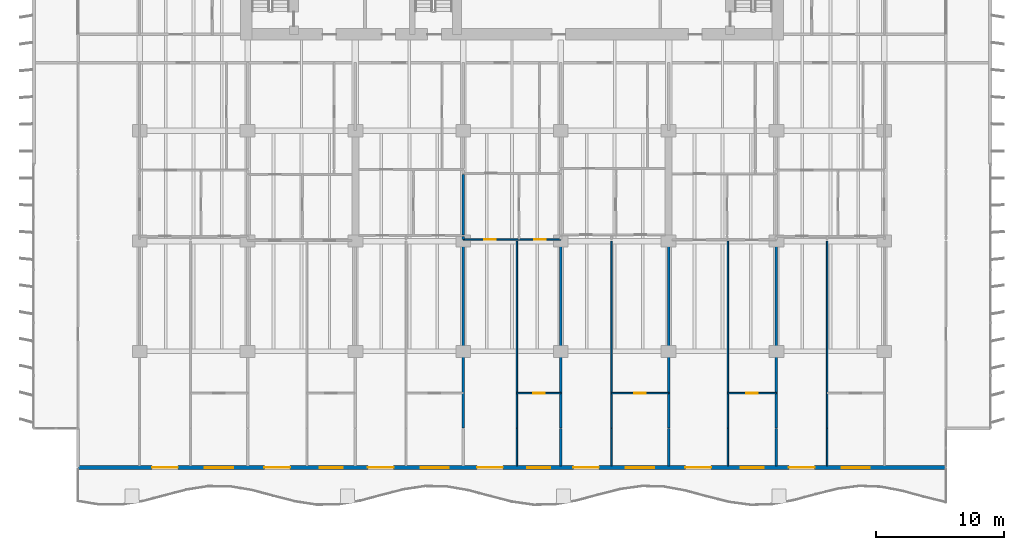
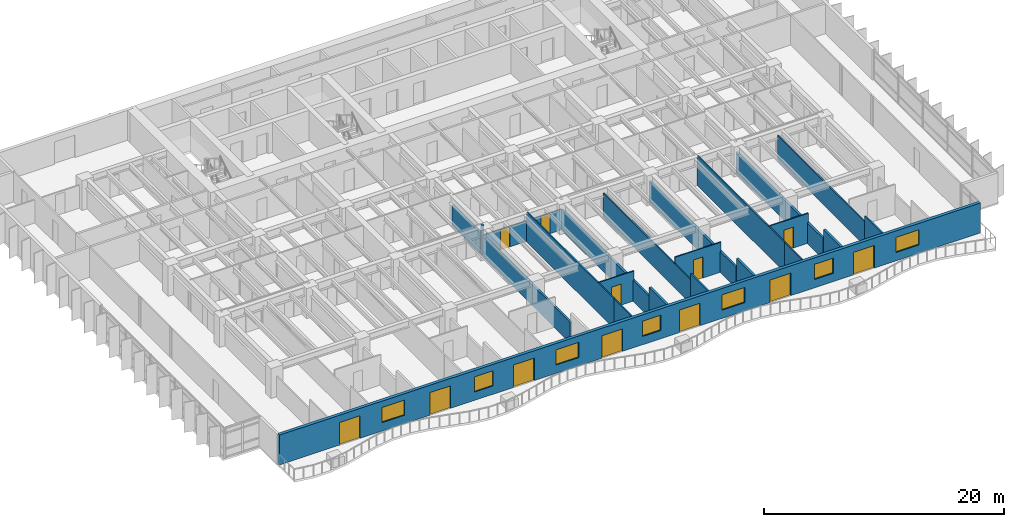
# One storey, part 8 of 19: 22 walls, 12 doors, 7 windows, 19 openings.
"""IFC4 building model written with IfcOpenShell, lengths in metres."""

from ifc_helpers import new_model, si_unit, direction, frame, frame_2d, origin, place, context, subcontext, project, spatial, rectangle, extrude, material, layer, layer_set, type_object, element, fill, save


model = new_model("IFC4")

# Units and contexts
model_context = context("Model", 3, precision=1e-05, world=origin(), true_north=direction((0.0, 1.0)))
body_context = subcontext(model_context, "Body", "Model", "MODEL_VIEW")
ifc_project = project(units=[si_unit("LENGTHUNIT", "METRE"), si_unit("AREAUNIT", "SQUARE_METRE"), si_unit("VOLUMEUNIT", "CUBIC_METRE"), si_unit("PLANEANGLEUNIT", "RADIAN"), si_unit("MASSUNIT", "GRAM", prefix="KILO")], contexts=[model_context])

# Site, building, storey
site_placement = place(None, origin())
site = spatial("IfcSite", under=ifc_project, at=site_placement, CompositionType="ELEMENT")
building_placement = place(site_placement, origin())
building = spatial("IfcBuilding", under=site, at=building_placement, Name="Caelmar Bay Residences", CompositionType="ELEMENT")
storey_placement = place(building_placement, frame((0.0, 0.0, 66.300048828125)))
storey = spatial("IfcBuildingStorey", under=building, at=storey_placement, Name="L17", CompositionType="ELEMENT", Elevation=66.300048828125)

# Wall, openings, doors, windows
ifc_material_1 = material(Name="Precast concrete f'c 40 MPa (6,000 psi)", Category="concrete")
ifc_layer_1 = layer(ifc_material_1, 0.300048828125)
ifc_layer_set_1 = layer_set([ifc_layer_1], Name="Precast concrete f'c 40 MPa (6,000 psi)")
wall_type_1 = type_object("IfcWallType", Name="W-EXT-300", PredefinedType="STANDARD", material=ifc_layer_set_1)
wall_1_placement = place(storey_placement, frame((72.699951171875, 3.14990234375, 0.0), z_axis=(0.0, 0.0, 1.0), x_axis=(-1.0, 0.0, 0.0)))
wall_1 = element("IfcWall", 1, at=wall_1_placement, inside=storey, type_object=wall_type_1, Name="L17 South Bayfront Exterior Wall", PredefinedType="STANDARD", context=body_context, shape_type="SweptSolid", body=[
    extrude(rectangle(XDim=67.599853515625, YDim=0.300048828125, at=frame_2d((33.7998046875, 0.0))), origin(), (0.0, 0.0, 1.0), 3.050048828125),
])
opening_1_placement = place(wall_1_placement, frame((59.825927734375, 0.0, 0.0)))
opening_1 = element("IfcOpeningElement", 2, at=opening_1_placement, cuts=wall_1, Name="Opening L17-BD01", PredefinedType="OPENING", context=body_context, shape_type="SweptSolid", body=[
    extrude(rectangle(XDim=2.0, YDim=2.300048828125, at=frame_2d((1.0, 1.14990234375))), frame((0.0, 0.159912109375, 0.0), z_axis=(0.0, -1.0, 0.0), x_axis=(1.0, 0.0, 0.0)), (0.0, 0.0, 1.0), 0.320068359375),
])
opening_2_placement = place(wall_1_placement, frame((55.52587890625, 0.0, 0.85009765625)))
opening_2 = element("IfcOpeningElement", 3, at=opening_2_placement, cuts=wall_1, Name="Opening WN2", PredefinedType="OPENING", context=body_context, shape_type="SweptSolid", body=[
    extrude(rectangle(XDim=2.199951171875, YDim=1.550048828125, at=frame_2d((1.10009765625, 0.77490234375))), frame((0.0, 0.159912109375, 0.0), z_axis=(0.0, -1.0, 0.0), x_axis=(1.0, 0.0, 0.0)), (0.0, 0.0, 1.0), 0.320068359375),
])
opening_3_placement = place(wall_1_placement, frame((51.090087890625, 0.0, 0.0)))
opening_3 = element("IfcOpeningElement", 4, at=opening_3_placement, cuts=wall_1, Name="Opening L17-BD02", PredefinedType="OPENING", context=body_context, shape_type="SweptSolid", body=[
    extrude(rectangle(XDim=2.0, YDim=2.300048828125, at=frame_2d((1.0, 1.14990234375))), frame((0.0, 0.159912109375, 0.0), z_axis=(0.0, -1.0, 0.0), x_axis=(1.0, 0.0, 0.0)), (0.0, 0.0, 1.0), 0.320068359375),
])
opening_4_placement = place(wall_1_placement, frame((46.989990234375, 0.0, 0.85009765625)))
opening_4 = element("IfcOpeningElement", 5, at=opening_4_placement, cuts=wall_1, Name="Opening WN1", PredefinedType="OPENING", context=body_context, shape_type="SweptSolid", body=[
    extrude(rectangle(XDim=1.800048828125, YDim=1.550048828125, at=frame_2d((0.89990234375, 0.77490234375))), frame((0.0, 0.159912109375, 0.0), z_axis=(0.0, -1.0, 0.0), x_axis=(1.0, 0.0, 0.0)), (0.0, 0.0, 1.0), 0.320068359375),
])
opening_5_placement = place(wall_1_placement, frame((43.02587890625, 0.0, 0.0)))
opening_5 = element("IfcOpeningElement", 6, at=opening_5_placement, cuts=wall_1, Name="Opening L17-BD03", PredefinedType="OPENING", context=body_context, shape_type="SweptSolid", body=[
    extrude(rectangle(XDim=2.0, YDim=2.300048828125, at=frame_2d((1.0, 1.14990234375))), frame((0.0, 0.159912109375, 0.0), z_axis=(0.0, -1.0, 0.0), x_axis=(1.0, 0.0, 0.0)), (0.0, 0.0, 1.0), 0.320068359375),
])
opening_6_placement = place(wall_1_placement, frame((38.72607421875, 0.0, 0.85009765625)))
opening_6 = element("IfcOpeningElement", 7, at=opening_6_placement, cuts=wall_1, Name="Opening WN2", PredefinedType="OPENING", context=body_context, shape_type="SweptSolid", body=[
    extrude(rectangle(XDim=2.199951171875, YDim=1.550048828125, at=frame_2d((1.10009765625, 0.77490234375))), frame((0.0, 0.159912109375, 0.0), z_axis=(0.0, -1.0, 0.0), x_axis=(1.0, 0.0, 0.0)), (0.0, 0.0, 1.0), 0.320068359375),
])
opening_7_placement = place(wall_1_placement, frame((34.510009765625, 0.0, 0.0)))
opening_7 = element("IfcOpeningElement", 8, at=opening_7_placement, cuts=wall_1, Name="Opening L17-BD04", PredefinedType="OPENING", context=body_context, shape_type="SweptSolid", body=[
    extrude(rectangle(XDim=2.0, YDim=2.300048828125, at=frame_2d((1.0, 1.14990234375))), frame((0.0, 0.159912109375, 0.0), z_axis=(0.0, -1.0, 0.0), x_axis=(1.0, 0.0, 0.0)), (0.0, 0.0, 1.0), 0.320068359375),
])
opening_8_placement = place(wall_1_placement, frame((30.81005859375, 0.0, 0.85009765625)))
opening_8 = element("IfcOpeningElement", 9, at=opening_8_placement, cuts=wall_1, Name="Opening WN1", PredefinedType="OPENING", context=body_context, shape_type="SweptSolid", body=[
    extrude(rectangle(XDim=1.800048828125, YDim=1.550048828125, at=frame_2d((0.89990234375, 0.77490234375))), frame((0.0, 0.159912109375, 0.0), z_axis=(0.0, -1.0, 0.0), x_axis=(1.0, 0.0, 0.0)), (0.0, 0.0, 1.0), 0.320068359375),
])
opening_9_placement = place(wall_1_placement, frame((27.02587890625, 0.0, 0.0)))
opening_9 = element("IfcOpeningElement", 10, at=opening_9_placement, cuts=wall_1, Name="Opening L17-BD05", PredefinedType="OPENING", context=body_context, shape_type="SweptSolid", body=[
    extrude(rectangle(XDim=2.0, YDim=2.300048828125, at=frame_2d((1.0, 1.14990234375))), frame((0.0, 0.159912109375, 0.0), z_axis=(0.0, -1.0, 0.0), x_axis=(1.0, 0.0, 0.0)), (0.0, 0.0, 1.0), 0.320068359375),
])
opening_10_placement = place(wall_1_placement, frame((22.72607421875, 0.0, 0.85009765625)))
opening_10 = element("IfcOpeningElement", 11, at=opening_10_placement, cuts=wall_1, Name="Opening WN2", PredefinedType="OPENING", context=body_context, shape_type="SweptSolid", body=[
    extrude(rectangle(XDim=2.199951171875, YDim=1.550048828125, at=frame_2d((1.10009765625, 0.77490234375))), frame((0.0, 0.159912109375, 0.0), z_axis=(0.0, -1.0, 0.0), x_axis=(1.0, 0.0, 0.0)), (0.0, 0.0, 1.0), 0.320068359375),
])
opening_11_placement = place(wall_1_placement, frame((18.2900390625, 0.0, 0.0)))
opening_11 = element("IfcOpeningElement", 12, at=opening_11_placement, cuts=wall_1, Name="Opening L17-BD06", PredefinedType="OPENING", context=body_context, shape_type="SweptSolid", body=[
    extrude(rectangle(XDim=2.0, YDim=2.300048828125, at=frame_2d((1.0, 1.14990234375))), frame((0.0, 0.159912109375, 0.0), z_axis=(0.0, -1.0, 0.0), x_axis=(1.0, 0.0, 0.0)), (0.0, 0.0, 1.0), 0.320068359375),
])
opening_12_placement = place(wall_1_placement, frame((14.18994140625, 0.0, 0.85009765625)))
opening_12 = element("IfcOpeningElement", 13, at=opening_12_placement, cuts=wall_1, Name="Opening WN1", PredefinedType="OPENING", context=body_context, shape_type="SweptSolid", body=[
    extrude(rectangle(XDim=1.800048828125, YDim=1.550048828125, at=frame_2d((0.89990234375, 0.77490234375))), frame((0.0, 0.159912109375, 0.0), z_axis=(0.0, -1.0, 0.0), x_axis=(1.0, 0.0, 0.0)), (0.0, 0.0, 1.0), 0.320068359375),
])
opening_13_placement = place(wall_1_placement, frame((10.22607421875, 0.0, 0.0)))
opening_13 = element("IfcOpeningElement", 14, at=opening_13_placement, cuts=wall_1, Name="Opening L17-BD07", PredefinedType="OPENING", context=body_context, shape_type="SweptSolid", body=[
    extrude(rectangle(XDim=2.0, YDim=2.300048828125, at=frame_2d((1.0, 1.14990234375))), frame((0.0, 0.159912109375, 0.0), z_axis=(0.0, -1.0, 0.0), x_axis=(1.0, 0.0, 0.0)), (0.0, 0.0, 1.0), 0.320068359375),
])
opening_14_placement = place(wall_1_placement, frame((5.926025390625, 0.0, 0.85009765625)))
opening_14 = element("IfcOpeningElement", 15, at=opening_14_placement, cuts=wall_1, Name="Opening WN2", PredefinedType="OPENING", context=body_context, shape_type="SweptSolid", body=[
    extrude(rectangle(XDim=2.199951171875, YDim=1.550048828125, at=frame_2d((1.10009765625, 0.77490234375))), frame((0.0, 0.159912109375, 0.0), z_axis=(0.0, -1.0, 0.0), x_axis=(1.0, 0.0, 0.0)), (0.0, 0.0, 1.0), 0.320068359375),
])
ifc_material_2 = material(Name="Anodised bronze thermally broken sliding glass door", Category="glass")
ifc_layer_2 = layer(ifc_material_2, 0.050048828125)
ifc_layer_set_2 = layer_set([ifc_layer_2], Name="Anodised bronze thermally broken sliding glass door")
door_type_1 = type_object("IfcDoorType", Name="D-BAL-2000", OperationType="DOUBLE_DOOR_SLIDING", PredefinedType="DOOR", material=ifc_layer_set_2)
door_1_placement = place(opening_1_placement, origin())
door_1 = element("IfcDoor", 16, at=door_1_placement, inside=storey, type_object=door_type_1, Name="L17 Residence 01 Living Room Balcony Door", OperationType="DOUBLE_DOOR_SLIDING", OverallHeight=2.300048828125, OverallWidth=2.0, PredefinedType="DOOR", context=body_context, shape_type="SweptSolid", body=[
    extrude(rectangle(XDim=2.0, YDim=2.300048828125, at=frame_2d((1.0, 1.14990234375))), frame((0.0, 0.02490234375, 0.0), z_axis=(0.0, -1.0, 0.0), x_axis=(1.0, 0.0, 0.0)), (0.0, 0.0, 1.0), 0.050048828125),
])
fill(opening_1, door_1)
door_2_placement = place(opening_3_placement, origin())
door_2 = element("IfcDoor", 17, at=door_2_placement, inside=storey, type_object=door_type_1, Name="L17 Residence 02 Penthouse Living Salon Balcony Door", OperationType="DOUBLE_DOOR_SLIDING", OverallHeight=2.300048828125, OverallWidth=2.0, PredefinedType="DOOR", context=body_context, shape_type="SweptSolid", body=[
    extrude(rectangle(XDim=2.0, YDim=2.300048828125, at=frame_2d((1.0, 1.14990234375))), frame((0.0, 0.02490234375, 0.0), z_axis=(0.0, -1.0, 0.0), x_axis=(1.0, 0.0, 0.0)), (0.0, 0.0, 1.0), 0.050048828125),
])
fill(opening_3, door_2)
door_3_placement = place(opening_5_placement, origin())
door_3 = element("IfcDoor", 18, at=door_3_placement, inside=storey, type_object=door_type_1, Name="L17 Residence 03 Living Room Balcony Door", OperationType="DOUBLE_DOOR_SLIDING", OverallHeight=2.300048828125, OverallWidth=2.0, PredefinedType="DOOR", context=body_context, shape_type="SweptSolid", body=[
    extrude(rectangle(XDim=2.0, YDim=2.300048828125, at=frame_2d((1.0, 1.14990234375))), frame((0.0, 0.02490234375, 0.0), z_axis=(0.0, -1.0, 0.0), x_axis=(1.0, 0.0, 0.0)), (0.0, 0.0, 1.0), 0.050048828125),
])
fill(opening_5, door_3)
door_4_placement = place(opening_7_placement, origin())
door_4 = element("IfcDoor", 19, at=door_4_placement, inside=storey, type_object=door_type_1, Name="L17 Residence 04 Living Room Balcony Door", OperationType="DOUBLE_DOOR_SLIDING", OverallHeight=2.300048828125, OverallWidth=2.0, PredefinedType="DOOR", context=body_context, shape_type="SweptSolid", body=[
    extrude(rectangle(XDim=2.0, YDim=2.300048828125, at=frame_2d((1.0, 1.14990234375))), frame((0.0, 0.02490234375, 0.0), z_axis=(0.0, -1.0, 0.0), x_axis=(1.0, 0.0, 0.0)), (0.0, 0.0, 1.0), 0.050048828125),
])
fill(opening_7, door_4)
door_5_placement = place(opening_9_placement, origin())
door_5 = element("IfcDoor", 20, at=door_5_placement, inside=storey, type_object=door_type_1, Name="L17 Residence 05 Living Room Balcony Door", OperationType="DOUBLE_DOOR_SLIDING", OverallHeight=2.300048828125, OverallWidth=2.0, PredefinedType="DOOR", context=body_context, shape_type="SweptSolid", body=[
    extrude(rectangle(XDim=2.0, YDim=2.300048828125, at=frame_2d((1.0, 1.14990234375))), frame((0.0, 0.02490234375, 0.0), z_axis=(0.0, -1.0, 0.0), x_axis=(1.0, 0.0, 0.0)), (0.0, 0.0, 1.0), 0.050048828125),
])
fill(opening_9, door_5)
door_6_placement = place(opening_11_placement, origin())
door_6 = element("IfcDoor", 21, at=door_6_placement, inside=storey, type_object=door_type_1, Name="L17 Residence 06 Penthouse Living Salon Balcony Door", OperationType="DOUBLE_DOOR_SLIDING", OverallHeight=2.300048828125, OverallWidth=2.0, PredefinedType="DOOR", context=body_context, shape_type="SweptSolid", body=[
    extrude(rectangle(XDim=2.0, YDim=2.300048828125, at=frame_2d((1.0, 1.14990234375))), frame((0.0, 0.02490234375, 0.0), z_axis=(0.0, -1.0, 0.0), x_axis=(1.0, 0.0, 0.0)), (0.0, 0.0, 1.0), 0.050048828125),
])
fill(opening_11, door_6)
door_7_placement = place(opening_13_placement, origin())
door_7 = element("IfcDoor", 22, at=door_7_placement, inside=storey, type_object=door_type_1, Name="L17 Residence 07 Living Room Balcony Door", OperationType="DOUBLE_DOOR_SLIDING", OverallHeight=2.300048828125, OverallWidth=2.0, PredefinedType="DOOR", context=body_context, shape_type="SweptSolid", body=[
    extrude(rectangle(XDim=2.0, YDim=2.300048828125, at=frame_2d((1.0, 1.14990234375))), frame((0.0, 0.02490234375, 0.0), z_axis=(0.0, -1.0, 0.0), x_axis=(1.0, 0.0, 0.0)), (0.0, 0.0, 1.0), 0.050048828125),
])
fill(opening_13, door_7)
ifc_material_3 = material(Name="Bronze aluminium frame with laminated low-E glass", Category="aluminium")
ifc_layer_3 = layer(ifc_material_3, 0.06005859375)
ifc_layer_set_3 = layer_set([ifc_layer_3], Name="Bronze aluminium frame with laminated low-E glass")
window_type_1 = type_object("IfcWindowType", Name="WIN-BR-1800", PartitioningType="SINGLE_PANEL", PredefinedType="WINDOW", material=ifc_layer_set_3)
window_1_placement = place(opening_4_placement, origin())
window_1 = element("IfcWindow", 23, at=window_1_placement, inside=storey, type_object=window_type_1, Name="L17 Residence 02 Primary Bedroom Window", OverallHeight=1.550048828125, OverallWidth=1.800048828125, PartitioningType="SINGLE_PANEL", PredefinedType="WINDOW", context=body_context, shape_type="SweptSolid", body=[
    extrude(rectangle(XDim=1.800048828125, YDim=1.550048828125, at=frame_2d((0.89990234375, 0.77490234375))), frame((0.0, 0.030029296875, 0.0), z_axis=(0.0, -1.0, 0.0), x_axis=(1.0, 0.0, 0.0)), (0.0, 0.0, 1.0), 0.06005859375),
])
fill(opening_4, window_1)
window_2_placement = place(opening_8_placement, origin())
window_2 = element("IfcWindow", 24, at=window_2_placement, inside=storey, type_object=window_type_1, Name="L17 Residence 04 Primary Bedroom Window", OverallHeight=1.550048828125, OverallWidth=1.800048828125, PartitioningType="SINGLE_PANEL", PredefinedType="WINDOW", context=body_context, shape_type="SweptSolid", body=[
    extrude(rectangle(XDim=1.800048828125, YDim=1.550048828125, at=frame_2d((0.89990234375, 0.77490234375))), frame((0.0, 0.030029296875, 0.0), z_axis=(0.0, -1.0, 0.0), x_axis=(1.0, 0.0, 0.0)), (0.0, 0.0, 1.0), 0.06005859375),
])
fill(opening_8, window_2)
window_3_placement = place(opening_12_placement, origin())
window_3 = element("IfcWindow", 25, at=window_3_placement, inside=storey, type_object=window_type_1, Name="L17 Residence 06 Primary Bedroom Window", OverallHeight=1.550048828125, OverallWidth=1.800048828125, PartitioningType="SINGLE_PANEL", PredefinedType="WINDOW", context=body_context, shape_type="SweptSolid", body=[
    extrude(rectangle(XDim=1.800048828125, YDim=1.550048828125, at=frame_2d((0.89990234375, 0.77490234375))), frame((0.0, 0.030029296875, 0.0), z_axis=(0.0, -1.0, 0.0), x_axis=(1.0, 0.0, 0.0)), (0.0, 0.0, 1.0), 0.06005859375),
])
fill(opening_12, window_3)
ifc_layer_4 = layer(ifc_material_3, 0.06005859375)
ifc_layer_set_4 = layer_set([ifc_layer_4], Name="Bronze aluminium frame with laminated low-E glass")
window_type_2 = type_object("IfcWindowType", Name="WIN-BR-2200", PartitioningType="SINGLE_PANEL", PredefinedType="WINDOW", material=ifc_layer_set_4)
window_4_placement = place(opening_2_placement, origin())
window_4 = element("IfcWindow", 26, at=window_4_placement, inside=storey, type_object=window_type_2, Name="L17 Residence 01 Primary Bedroom Window", OverallHeight=1.550048828125, OverallWidth=2.199951171875, PartitioningType="SINGLE_PANEL", PredefinedType="WINDOW", context=body_context, shape_type="SweptSolid", body=[
    extrude(rectangle(XDim=2.199951171875, YDim=1.550048828125, at=frame_2d((1.10009765625, 0.77490234375))), frame((0.0, 0.030029296875, 0.0), z_axis=(0.0, -1.0, 0.0), x_axis=(1.0, 0.0, 0.0)), (0.0, 0.0, 1.0), 0.06005859375),
])
fill(opening_2, window_4)
window_5_placement = place(opening_6_placement, origin())
window_5 = element("IfcWindow", 27, at=window_5_placement, inside=storey, type_object=window_type_2, Name="L17 Residence 03 Primary Bedroom Window", OverallHeight=1.550048828125, OverallWidth=2.199951171875, PartitioningType="SINGLE_PANEL", PredefinedType="WINDOW", context=body_context, shape_type="SweptSolid", body=[
    extrude(rectangle(XDim=2.199951171875, YDim=1.550048828125, at=frame_2d((1.10009765625, 0.77490234375))), frame((0.0, 0.030029296875, 0.0), z_axis=(0.0, -1.0, 0.0), x_axis=(1.0, 0.0, 0.0)), (0.0, 0.0, 1.0), 0.06005859375),
])
fill(opening_6, window_5)
window_6_placement = place(opening_10_placement, origin())
window_6 = element("IfcWindow", 28, at=window_6_placement, inside=storey, type_object=window_type_2, Name="L17 Residence 05 Primary Bedroom Window", OverallHeight=1.550048828125, OverallWidth=2.199951171875, PartitioningType="SINGLE_PANEL", PredefinedType="WINDOW", context=body_context, shape_type="SweptSolid", body=[
    extrude(rectangle(XDim=2.199951171875, YDim=1.550048828125, at=frame_2d((1.10009765625, 0.77490234375))), frame((0.0, 0.030029296875, 0.0), z_axis=(0.0, -1.0, 0.0), x_axis=(1.0, 0.0, 0.0)), (0.0, 0.0, 1.0), 0.06005859375),
])
fill(opening_10, window_6)
window_7_placement = place(opening_14_placement, origin())
window_7 = element("IfcWindow", 29, at=window_7_placement, inside=storey, type_object=window_type_2, Name="L17 Residence 07 Primary Bedroom Window", OverallHeight=1.550048828125, OverallWidth=2.199951171875, PartitioningType="SINGLE_PANEL", PredefinedType="WINDOW", context=body_context, shape_type="SweptSolid", body=[
    extrude(rectangle(XDim=2.199951171875, YDim=1.550048828125, at=frame_2d((1.10009765625, 0.77490234375))), frame((0.0, 0.030029296875, 0.0), z_axis=(0.0, -1.0, 0.0), x_axis=(1.0, 0.0, 0.0)), (0.0, 0.0, 1.0), 0.06005859375),
])
fill(opening_14, window_7)

# Walls
ifc_material_4 = material(Name="Acoustic metal-stud gypsum partition 120 mm")
ifc_layer_5 = layer(ifc_material_4, 0.1201171875)
ifc_layer_set_5 = layer_set([ifc_layer_5], Name="Acoustic metal-stud gypsum partition 120 mm")
wall_type_2 = type_object("IfcWallType", Name="W-PRT-120", PredefinedType="PARTITIONING", material=ifc_layer_set_5)
wall_2_placement = place(storey_placement, frame((39.280029296875, 3.294921875, 0.0), z_axis=(0.0, 0.0, 1.0), x_axis=(0.0, 1.0, 0.0)))
element("IfcWall", 30, at=wall_2_placement, inside=storey, type_object=wall_type_2, Name="L17 Partition Wall V057", PredefinedType="PARTITIONING", context=body_context, shape_type="SweptSolid", body=[
    extrude(rectangle(XDim=2.905029296875, YDim=0.1201171875, at=frame_2d((1.45263671875, 0.0))), origin(), (0.0, 0.0, 1.0), 3.050048828125),
])
wall_3_placement = place(storey_placement, frame((39.280029296875, 6.239990234375, 0.0), z_axis=(0.0, 0.0, 1.0), x_axis=(0.0, 1.0, 0.0)))
element("IfcWall", 31, at=wall_3_placement, inside=storey, type_object=wall_type_2, Name="L17 Partition Wall V058", PredefinedType="PARTITIONING", context=body_context, shape_type="SweptSolid", body=[
    extrude(rectangle(XDim=14.56005859375, YDim=0.1201171875, at=frame_2d((7.280029296875, 0.0))), origin(), (0.0, 0.0, 1.0), 3.050048828125),
])
wall_4_placement = place(storey_placement, frame((46.64794921875, 3.294921875, 0.0), z_axis=(0.0, 0.0, 1.0), x_axis=(0.0, 1.0, 0.0)))
element("IfcWall", 32, at=wall_4_placement, inside=storey, type_object=wall_type_2, Name="L17 Partition Wall V073", PredefinedType="PARTITIONING", context=body_context, shape_type="SweptSolid", body=[
    extrude(rectangle(XDim=2.905029296875, YDim=0.1201171875, at=frame_2d((1.45263671875, 0.0))), origin(), (0.0, 0.0, 1.0), 3.050048828125),
])
wall_5_placement = place(storey_placement, frame((46.64794921875, 6.239990234375, 0.0), z_axis=(0.0, 0.0, 1.0), x_axis=(0.0, 1.0, 0.0)))
element("IfcWall", 33, at=wall_5_placement, inside=storey, type_object=wall_type_2, Name="L17 Partition Wall V074", PredefinedType="PARTITIONING", context=body_context, shape_type="SweptSolid", body=[
    extrude(rectangle(XDim=14.56005859375, YDim=0.1201171875, at=frame_2d((7.280029296875, 0.0))), origin(), (0.0, 0.0, 1.0), 2.4228515625),
])
wall_6_placement = place(storey_placement, frame((55.719970703125, 3.294921875, 0.0), z_axis=(0.0, 0.0, 1.0), x_axis=(0.0, 1.0, 0.0)))
element("IfcWall", 34, at=wall_6_placement, inside=storey, type_object=wall_type_2, Name="L17 Partition Wall V089", PredefinedType="PARTITIONING", context=body_context, shape_type="SweptSolid", body=[
    extrude(rectangle(XDim=2.905029296875, YDim=0.1201171875, at=frame_2d((1.45263671875, 0.0))), origin(), (0.0, 0.0, 1.0), 3.050048828125),
])
wall_7_placement = place(storey_placement, frame((55.719970703125, 6.239990234375, 0.0), z_axis=(0.0, 0.0, 1.0), x_axis=(0.0, 1.0, 0.0)))
element("IfcWall", 35, at=wall_7_placement, inside=storey, type_object=wall_type_2, Name="L17 Partition Wall V090", PredefinedType="PARTITIONING", context=body_context, shape_type="SweptSolid", body=[
    extrude(rectangle(XDim=14.56005859375, YDim=0.1201171875, at=frame_2d((7.280029296875, 0.0))), origin(), (0.0, 0.0, 1.0), 3.050048828125),
])
wall_8_placement = place(storey_placement, frame((63.447998046875, 3.294921875, 0.0), z_axis=(0.0, 0.0, 1.0), x_axis=(0.0, 1.0, 0.0)))
element("IfcWall", 36, at=wall_8_placement, inside=storey, type_object=wall_type_2, Name="L17 Partition Wall V101", PredefinedType="PARTITIONING", context=body_context, shape_type="SweptSolid", body=[
    extrude(rectangle(XDim=2.905029296875, YDim=0.1201171875, at=frame_2d((1.45263671875, 0.0))), origin(), (0.0, 0.0, 1.0), 3.050048828125),
])
wall_9_placement = place(storey_placement, frame((63.447998046875, 6.239990234375, 0.0), z_axis=(0.0, 0.0, 1.0), x_axis=(0.0, 1.0, 0.0)))
element("IfcWall", 37, at=wall_9_placement, inside=storey, type_object=wall_type_2, Name="L17 Partition Wall V102", PredefinedType="PARTITIONING", context=body_context, shape_type="SweptSolid", body=[
    extrude(rectangle(XDim=14.56005859375, YDim=0.1201171875, at=frame_2d((7.280029296875, 0.0))), origin(), (0.0, 0.0, 1.0), 2.4228515625),
])

# Wall, opening, door
wall_10_placement = place(storey_placement, frame((39.280029296875, 8.949951171875, 0.0), z_axis=(0.0, 0.0, 1.0), x_axis=(1.0, 0.0, 0.0)))
wall_10 = element("IfcWall", 38, at=wall_10_placement, inside=storey, type_object=wall_type_2, Name="L17 Partition Wall H124", PredefinedType="PARTITIONING", context=body_context, shape_type="SweptSolid", body=[
    extrude(rectangle(XDim=3.419921875, YDim=0.1201171875, at=frame_2d((1.7099609375, 0.0))), origin(), (0.0, 0.0, 1.0), 3.050048828125),
])
opening_15_placement = place(wall_10_placement, frame((1.260009765625, 0.0, 0.0)))
opening_15 = element("IfcOpeningElement", 39, at=opening_15_placement, cuts=wall_10, Name="Opening D-L17-151", PredefinedType="OPENING", context=body_context, shape_type="SweptSolid", body=[
    extrude(rectangle(XDim=0.89990234375, YDim=2.14990234375, at=frame_2d((0.449951171875, 1.074951171875))), frame((0.0, 0.070068359375, 0.0), z_axis=(0.0, -1.0, 0.0), x_axis=(1.0, 0.0, 0.0)), (0.0, 0.0, 1.0), 0.14013671875),
])
ifc_material_5 = material(Name="Solid walnut timber interior door leaf and frame", Category="wood")
ifc_layer_6 = layer(ifc_material_5, 0.050048828125)
ifc_layer_set_6 = layer_set([ifc_layer_6], Name="Solid walnut timber interior door leaf and frame")
door_type_2 = type_object("IfcDoorType", Name="D-ROOM-900", OperationType="NOTDEFINED", PredefinedType="DOOR", material=ifc_layer_set_6)
door_8_placement = place(opening_15_placement, origin())
door_8 = element("IfcDoor", 40, at=door_8_placement, inside=storey, type_object=door_type_2, Name="L17 Residence 04 Primary Bedroom Door", OperationType="SINGLE_SWING_RIGHT", OverallHeight=2.14990234375, OverallWidth=0.89990234375, PredefinedType="DOOR", context=body_context, shape_type="SweptSolid", body=[
    extrude(rectangle(XDim=0.89990234375, YDim=2.14990234375, at=frame_2d((0.449951171875, 1.074951171875))), frame((0.0, 0.02490234375, 0.0), z_axis=(0.0, -1.0, 0.0), x_axis=(1.0, 0.0, 0.0)), (0.0, 0.0, 1.0), 0.050048828125),
])
fill(opening_15, door_8)

wall_11_placement = place(storey_placement, frame((46.64794921875, 8.949951171875, 0.0), z_axis=(0.0, 0.0, 1.0), x_axis=(1.0, 0.0, 0.0)))
wall_11 = element("IfcWall", 41, at=wall_11_placement, inside=storey, type_object=wall_type_2, Name="L17 Partition Wall H125", PredefinedType="PARTITIONING", context=body_context, shape_type="SweptSolid", body=[
    extrude(rectangle(XDim=4.4521484375, YDim=0.1201171875, at=frame_2d((2.22607421875, 0.0))), origin(), (0.0, 0.0, 1.0), 3.050048828125),
])
opening_16_placement = place(wall_11_placement, frame((1.77587890625, 0.0, 0.0)))
opening_16 = element("IfcOpeningElement", 42, at=opening_16_placement, cuts=wall_11, Name="Opening D-L17-158", PredefinedType="OPENING", context=body_context, shape_type="SweptSolid", body=[
    extrude(rectangle(XDim=0.89990234375, YDim=2.14990234375, at=frame_2d((0.449951171875, 1.074951171875))), frame((0.0, 0.070068359375, 0.0), z_axis=(0.0, -1.0, 0.0), x_axis=(1.0, 0.0, 0.0)), (0.0, 0.0, 1.0), 0.14013671875),
])
door_9_placement = place(opening_16_placement, origin())
door_9 = element("IfcDoor", 43, at=door_9_placement, inside=storey, type_object=door_type_2, Name="L17 Residence 05 Primary Bedroom Door", OperationType="SINGLE_SWING_LEFT", OverallHeight=2.14990234375, OverallWidth=0.89990234375, PredefinedType="DOOR", context=body_context, shape_type="SweptSolid", body=[
    extrude(rectangle(XDim=0.89990234375, YDim=2.14990234375, at=frame_2d((0.449951171875, 1.074951171875))), frame((0.0, 0.02490234375, 0.0), z_axis=(0.0, -1.0, 0.0), x_axis=(1.0, 0.0, 0.0)), (0.0, 0.0, 1.0), 0.050048828125),
])
fill(opening_16, door_9)

wall_12_placement = place(storey_placement, frame((55.719970703125, 8.949951171875, 0.0), z_axis=(0.0, 0.0, 1.0), x_axis=(1.0, 0.0, 0.0)))
wall_12 = element("IfcWall", 44, at=wall_12_placement, inside=storey, type_object=wall_type_2, Name="L17 Partition Wall H126", PredefinedType="PARTITIONING", context=body_context, shape_type="SweptSolid", body=[
    extrude(rectangle(XDim=3.780029296875, YDim=0.1201171875, at=frame_2d((1.89013671875, 0.0))), origin(), (0.0, 0.0, 1.0), 3.050048828125),
])
opening_17_placement = place(wall_12_placement, frame((1.43994140625, 0.0, 0.0)))
opening_17 = element("IfcOpeningElement", 45, at=opening_17_placement, cuts=wall_12, Name="Opening D-L17-165", PredefinedType="OPENING", context=body_context, shape_type="SweptSolid", body=[
    extrude(rectangle(XDim=0.89990234375, YDim=2.14990234375, at=frame_2d((0.449951171875, 1.074951171875))), frame((0.0, 0.070068359375, 0.0), z_axis=(0.0, -1.0, 0.0), x_axis=(1.0, 0.0, 0.0)), (0.0, 0.0, 1.0), 0.14013671875),
])
door_10_placement = place(opening_17_placement, origin())
door_10 = element("IfcDoor", 46, at=door_10_placement, inside=storey, type_object=door_type_2, Name="L17 Residence 06 Primary Bedroom Door", OperationType="SINGLE_SWING_RIGHT", OverallHeight=2.14990234375, OverallWidth=0.89990234375, PredefinedType="DOOR", context=body_context, shape_type="SweptSolid", body=[
    extrude(rectangle(XDim=0.89990234375, YDim=2.14990234375, at=frame_2d((0.449951171875, 1.074951171875))), frame((0.0, 0.02490234375, 0.0), z_axis=(0.0, -1.0, 0.0), x_axis=(1.0, 0.0, 0.0)), (0.0, 0.0, 1.0), 0.050048828125),
])
fill(opening_17, door_10)

# Wall, openings, doors
wall_13_placement = place(storey_placement, frame((35.10009765625, 20.929931640625, 0.0), z_axis=(0.0, 0.0, 1.0), x_axis=(1.0, 0.0, 0.0)))
wall_13 = element("IfcWall", 47, at=wall_13_placement, inside=storey, type_object=wall_type_2, Name="L17 Partition Wall H130", PredefinedType="PARTITIONING", context=body_context, shape_type="SweptSolid", body=[
    extrude(rectangle(XDim=7.599853515625, YDim=0.1201171875, at=frame_2d((3.7998046875, 0.0))), origin(), (0.0, 0.0, 1.0), 2.10986328125),
])
opening_18_placement = place(wall_13_placement, frame((1.639892578125, 0.0, 0.0)))
opening_18 = element("IfcOpeningElement", 48, at=opening_18_placement, cuts=wall_13, Name="Opening D-L17-149", PredefinedType="OPENING", context=body_context, shape_type="SweptSolid", body=[
    extrude(rectangle(XDim=0.89990234375, YDim=2.06005859375, at=frame_2d((0.449951171875, 1.030029296875))), frame((0.0, 0.070068359375, 0.0), z_axis=(0.0, -1.0, 0.0), x_axis=(1.0, 0.0, 0.0)), (0.0, 0.0, 1.0), 0.14013671875),
])
opening_19_placement = place(wall_13_placement, frame((5.527099609375, 0.0, 0.0)))
opening_19 = element("IfcOpeningElement", 49, at=opening_19_placement, cuts=wall_13, Name="Opening D-L17-150", PredefinedType="OPENING", context=body_context, shape_type="SweptSolid", body=[
    extrude(rectangle(XDim=0.89990234375, YDim=2.06005859375, at=frame_2d((0.449951171875, 1.030029296875))), frame((0.0, 0.070068359375, 0.0), z_axis=(0.0, -1.0, 0.0), x_axis=(1.0, 0.0, 0.0)), (0.0, 0.0, 1.0), 0.14013671875),
])
door_11_placement = place(opening_18_placement, origin())
door_11 = element("IfcDoor", 50, at=door_11_placement, inside=storey, type_object=door_type_2, Name="L17 Residence 04 Living Room Door", OperationType="SINGLE_SWING_RIGHT", OverallHeight=2.06005859375, OverallWidth=0.89990234375, PredefinedType="DOOR", context=body_context, shape_type="SweptSolid", body=[
    extrude(rectangle(XDim=0.89990234375, YDim=2.06005859375, at=frame_2d((0.449951171875, 1.030029296875))), frame((0.0, 0.02490234375, 0.0), z_axis=(0.0, -1.0, 0.0), x_axis=(1.0, 0.0, 0.0)), (0.0, 0.0, 1.0), 0.050048828125),
])
fill(opening_18, door_11)
door_12_placement = place(opening_19_placement, origin())
door_12 = element("IfcDoor", 51, at=door_12_placement, inside=storey, type_object=door_type_2, Name="L17 Residence 04 Penthouse Sitting Room Door", OperationType="SINGLE_SWING_LEFT", OverallHeight=2.06005859375, OverallWidth=0.89990234375, PredefinedType="DOOR", context=body_context, shape_type="SweptSolid", body=[
    extrude(rectangle(XDim=0.89990234375, YDim=2.06005859375, at=frame_2d((0.449951171875, 1.030029296875))), frame((0.0, 0.02490234375, 0.0), z_axis=(0.0, -1.0, 0.0), x_axis=(1.0, 0.0, 0.0)), (0.0, 0.0, 1.0), 0.050048828125),
])
fill(opening_19, door_12)

# Walls
ifc_material_6 = material(Name="Acoustic twin-stud fire-rated inter-tenancy partition 200 mm")
ifc_layer_7 = layer(ifc_material_6, 0.199951171875)
ifc_layer_set_7 = layer_set([ifc_layer_7], Name="Acoustic twin-stud fire-rated inter-tenancy partition 200 mm")
wall_type_3 = type_object("IfcWallType", Name="W-PTY-200", PredefinedType="PARTITIONING", material=ifc_layer_set_7)
wall_14_placement = place(storey_placement, frame((35.10009765625, 6.239990234375, 0.0), z_axis=(0.0, 0.0, 1.0), x_axis=(0.0, 1.0, 0.0)))
element("IfcWall", 52, at=wall_14_placement, inside=storey, type_object=wall_type_3, Name="L17 Partition Wall V050", PredefinedType="PARTITIONING", context=body_context, shape_type="SweptSolid", body=[
    extrude(rectangle(XDim=14.56005859375, YDim=0.199951171875, at=frame_2d((7.280029296875, 0.0))), origin(), (0.0, 0.0, 1.0), 2.10986328125),
])
wall_15_placement = place(storey_placement, frame((35.10009765625, 20.929931640625, 0.0), z_axis=(0.0, 0.0, 1.0), x_axis=(0.0, 1.0, 0.0)))
element("IfcWall", 53, at=wall_15_placement, inside=storey, type_object=wall_type_3, Name="L17 Partition Wall V051", PredefinedType="PARTITIONING", context=body_context, shape_type="SweptSolid", body=[
    extrude(rectangle(XDim=0.239990234375, YDim=0.199951171875, at=frame_2d((0.1201171875, 0.0))), origin(), (0.0, 0.0, 1.0), 3.050048828125),
])
wall_16_placement = place(storey_placement, frame((35.10009765625, 21.2900390625, 0.0), z_axis=(0.0, 0.0, 1.0), x_axis=(0.0, 1.0, 0.0)))
element("IfcWall", 54, at=wall_16_placement, inside=storey, type_object=wall_type_3, Name="L17 Partition Wall V052", PredefinedType="PARTITIONING", context=body_context, shape_type="SweptSolid", body=[
    extrude(rectangle(XDim=4.68994140625, YDim=0.199951171875, at=frame_2d((2.344970703125, 0.0))), origin(), (0.0, 0.0, 1.0), 2.10986328125),
])
wall_17_placement = place(storey_placement, frame((42.699951171875, 3.294921875, 0.0), z_axis=(0.0, 0.0, 1.0), x_axis=(0.0, 1.0, 0.0)))
element("IfcWall", 55, at=wall_17_placement, inside=storey, type_object=wall_type_3, Name="L17 Partition Wall V064", PredefinedType="PARTITIONING", context=body_context, shape_type="SweptSolid", body=[
    extrude(rectangle(XDim=2.905029296875, YDim=0.199951171875, at=frame_2d((1.45263671875, 0.0))), origin(), (0.0, 0.0, 1.0), 3.050048828125),
])
wall_18_placement = place(storey_placement, frame((42.699951171875, 6.239990234375, 0.0), z_axis=(0.0, 0.0, 1.0), x_axis=(0.0, 1.0, 0.0)))
element("IfcWall", 56, at=wall_18_placement, inside=storey, type_object=wall_type_3, Name="L17 Partition Wall V065", PredefinedType="PARTITIONING", context=body_context, shape_type="SweptSolid", body=[
    extrude(rectangle(XDim=14.56005859375, YDim=0.199951171875, at=frame_2d((7.280029296875, 0.0))), origin(), (0.0, 0.0, 1.0), 2.10986328125),
])
wall_19_placement = place(storey_placement, frame((51.10009765625, 3.294921875, 0.0), z_axis=(0.0, 0.0, 1.0), x_axis=(0.0, 1.0, 0.0)))
element("IfcWall", 57, at=wall_19_placement, inside=storey, type_object=wall_type_3, Name="L17 Partition Wall V082", PredefinedType="PARTITIONING", context=body_context, shape_type="SweptSolid", body=[
    extrude(rectangle(XDim=2.905029296875, YDim=0.199951171875, at=frame_2d((1.45263671875, 0.0))), origin(), (0.0, 0.0, 1.0), 3.050048828125),
])
wall_20_placement = place(storey_placement, frame((51.10009765625, 6.239990234375, 0.0), z_axis=(0.0, 0.0, 1.0), x_axis=(0.0, 1.0, 0.0)))
element("IfcWall", 58, at=wall_20_placement, inside=storey, type_object=wall_type_3, Name="L17 Partition Wall V083", PredefinedType="PARTITIONING", context=body_context, shape_type="SweptSolid", body=[
    extrude(rectangle(XDim=14.554931640625, YDim=0.199951171875, at=frame_2d((7.27734375, 0.0))), origin(), (0.0, 0.0, 1.0), 2.10986328125),
])
wall_21_placement = place(storey_placement, frame((59.5, 3.294921875, 0.0), z_axis=(0.0, 0.0, 1.0), x_axis=(0.0, 1.0, 0.0)))
element("IfcWall", 59, at=wall_21_placement, inside=storey, type_object=wall_type_3, Name="L17 Partition Wall V094", PredefinedType="PARTITIONING", context=body_context, shape_type="SweptSolid", body=[
    extrude(rectangle(XDim=2.905029296875, YDim=0.199951171875, at=frame_2d((1.45263671875, 0.0))), origin(), (0.0, 0.0, 1.0), 3.050048828125),
])
wall_22_placement = place(storey_placement, frame((59.5, 6.239990234375, 0.0), z_axis=(0.0, 0.0, 1.0), x_axis=(0.0, 1.0, 0.0)))
element("IfcWall", 60, at=wall_22_placement, inside=storey, type_object=wall_type_3, Name="L17 Partition Wall V095", PredefinedType="PARTITIONING", context=body_context, shape_type="SweptSolid", body=[
    extrude(rectangle(XDim=14.56005859375, YDim=0.199951171875, at=frame_2d((7.280029296875, 0.0))), origin(), (0.0, 0.0, 1.0), 2.10986328125),
])

save(model, "model.ifc")
